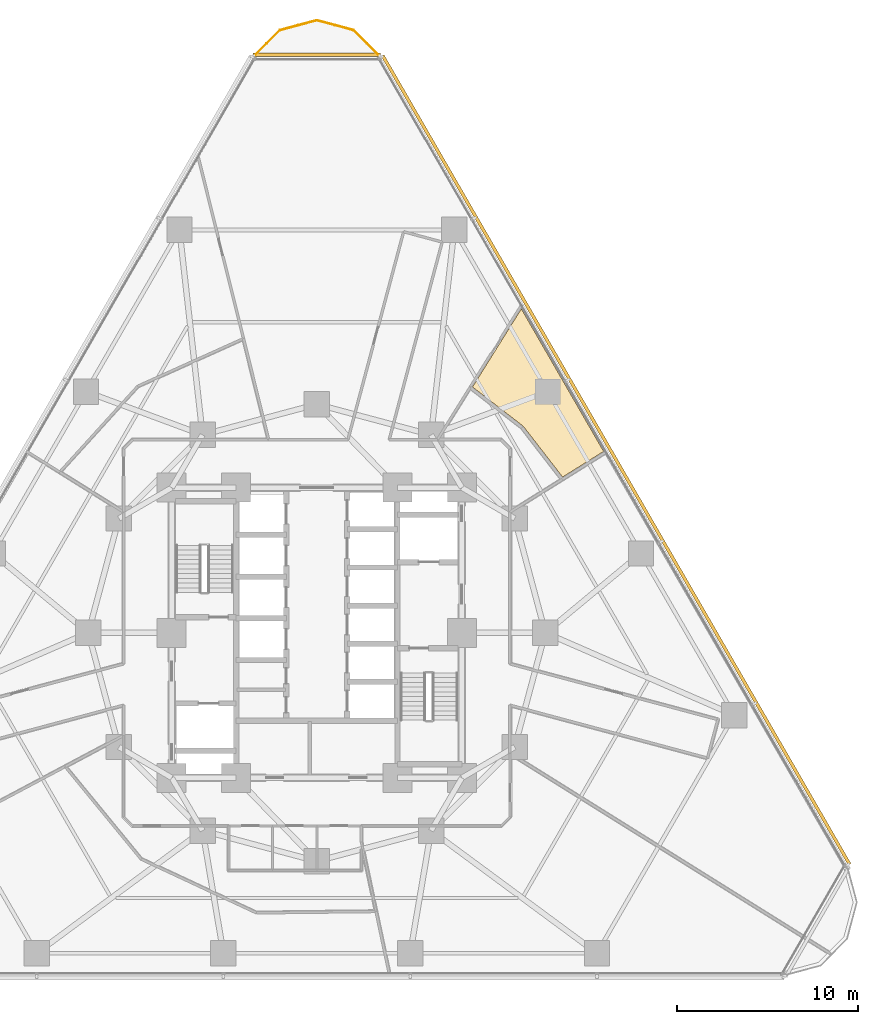
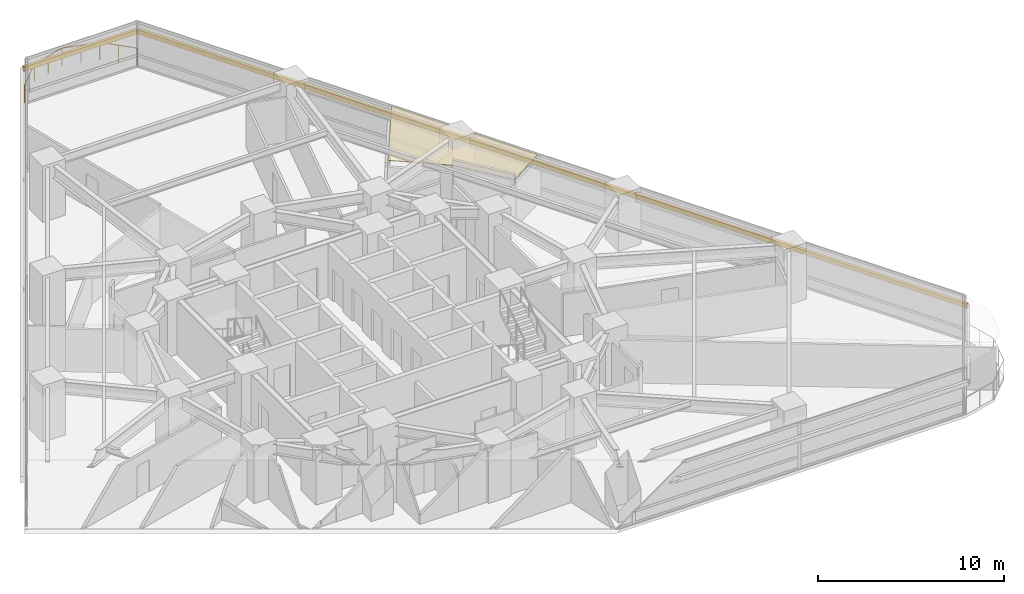
# One storey, part 15 of 15: 2 shading devices, 1 covering, 1 railing.
"""IFC4 building model written with IfcOpenShell, lengths in metres."""

from ifc_helpers import new_model, si_unit, direction, frame, origin, origin_2d, place, context, subcontext, project, spatial, polyline, rectangle, circle, outline, extrude, material, layer, layer_set, type_object, element, save


model = new_model("IFC4")

# Units and contexts
model_context = context("Model", 3, precision=1e-05, world=origin(), true_north=direction((0.0, 1.0)))
body_context = subcontext(model_context, "Body", "Model", "MODEL_VIEW")
ifc_project = project(units=[si_unit("LENGTHUNIT", "METRE"), si_unit("AREAUNIT", "SQUARE_METRE"), si_unit("VOLUMEUNIT", "CUBIC_METRE"), si_unit("PLANEANGLEUNIT", "RADIAN"), si_unit("MASSUNIT", "GRAM", prefix="KILO")], contexts=[model_context])

# Site, building, storey
site_placement = place(None, origin())
site = spatial("IfcSite", under=ifc_project, at=site_placement, CompositionType="ELEMENT")
building_placement = place(site_placement, origin())
building = spatial("IfcBuilding", under=site, at=building_placement, Name="Terralouvre Media Tower", CompositionType="ELEMENT")
storey_placement = place(building_placement, frame((0.0, 0.0, 33.39990234375)))
storey = spatial("IfcBuildingStorey", under=building, at=storey_placement, Name="L07", CompositionType="ELEMENT", Elevation=33.39990234375)

# Covering
ifc_material_1 = material(Name="Perforated aluminium acoustic ceiling baffle", Category="aluminium")
ifc_layer_1 = layer(ifc_material_1, 0.0400390625, Name="Perforated Acoustic Metal Tile Ceiling CL-AC1")
ifc_layer_set_1 = layer_set([ifc_layer_1], Name="Perforated aluminium acoustic ceiling baffle")
covering_type = type_object("IfcCoveringType", Name="Perforated Acoustic Metal Tile Ceiling CL-AC1", PredefinedType="CEILING", material=ifc_layer_set_1)
covering_placement = place(storey_placement, frame((0.0, 0.0, 2.97998046875)))
element("IfcCovering", 1, at=covering_placement, inside=storey, type_object=covering_type, Name="L07 Newsroom Tea Pantry 8 Acoustic Ceiling", PredefinedType="CEILING", context=body_context, shape_type="SweptSolid", body=[
    extrude(outline(polyline([(11.375244140625, 11.39306640625), (11.381591796875, 11.3876953125), (11.3876953125, 11.381591796875), (11.39306640625, 11.375244140625), (13.5517578125, 8.585693359375), (15.815185546875, 10.00048828125), (11.277587890625, 17.85986328125), (8.585693359375, 13.5517578125), (11.375244140625, 11.39306640625)])), origin(), (0.0, 0.0, 1.0), 0.0400390625),
])

# Railing
ifc_material_2 = material(Name="Stainless steel 316 handrail and balustrade", Category="steel")
ifc_layer_2 = layer(ifc_material_2, 0.06005859375, Name="Roof Edge Safety Guardrail GR-ROOF1")
ifc_layer_set_2 = layer_set([ifc_layer_2], Name="Stainless steel 316 handrail and balustrade")
railing_type = type_object("IfcRailingType", Name="Roof Edge Safety Guardrail GR-ROOF1", PredefinedType="GUARDRAIL", material=ifc_layer_set_2)
railing_placement = place(storey_placement, frame((3.505859375, 31.74365234375, 0.0)))
element("IfcRailing", 2, at=railing_placement, inside=storey, type_object=railing_type, Name="L07 Wind-Corner Perimeter Safety Guardrail C2", PredefinedType="GUARDRAIL", context=body_context, shape_type="SweptSolid", body=[
    extrude(circle(Radius=0.02099609375, at=origin_2d()), frame((0.0, 0.0, 1.12890625), z_axis=(-0.706932035913, 0.707281483286, 0.0), x_axis=(-0.707281483286, -0.706932035913, 0.0)), (0.0, 0.0, 1.0), 2.095947265625),
    extrude(circle(Radius=0.02099609375, at=origin_2d()), frame((-1.481689453125, 1.482421875, 1.12890625), z_axis=(-0.965913206711, 0.258866137416, 0.0), x_axis=(-0.258866137416, -0.965913206711, 0.0)), (0.0, 0.0, 1.0), 2.095703125),
    extrude(circle(Radius=0.02099609375, at=origin_2d()), frame((-3.505859375, 2.02490234375, 1.12890625), z_axis=(-0.965913206711, -0.258866137416, 0.0), x_axis=(0.258866137416, -0.965913206711, 0.0)), (0.0, 0.0, 1.0), 2.095703125),
    extrude(circle(Radius=0.02099609375, at=origin_2d()), frame((-5.530029296875, 1.482421875, 1.12890625), z_axis=(-0.706932035913, -0.707281483286, 0.0), x_axis=(0.707281483286, -0.706932035913, 0.0)), (0.0, 0.0, 1.0), 2.095947265625),
    extrude(circle(Radius=0.01904296875, at=origin_2d()), origin(), (0.0, 0.0, 1.0), 1.10791015625),
    extrude(circle(Radius=0.01904296875, at=origin_2d()), frame((-0.74072265625, 0.7412109375, 0.0)), (0.0, 0.0, 1.0), 1.10791015625),
    extrude(circle(Radius=0.01904296875, at=origin_2d()), frame((-1.481689453125, 1.482421875, 0.0)), (0.0, 0.0, 1.0), 1.10791015625),
    extrude(circle(Radius=0.01904296875, at=origin_2d()), frame((-2.49365234375, 1.753662109375, 0.0)), (0.0, 0.0, 1.0), 1.10791015625),
    extrude(circle(Radius=0.01904296875, at=origin_2d()), frame((-3.505859375, 2.02490234375, 0.0)), (0.0, 0.0, 1.0), 1.10791015625),
    extrude(circle(Radius=0.01904296875, at=origin_2d()), frame((-4.51806640625, 1.753662109375, 0.0)), (0.0, 0.0, 1.0), 1.10791015625),
    extrude(circle(Radius=0.01904296875, at=origin_2d()), frame((-5.530029296875, 1.482421875, 0.0)), (0.0, 0.0, 1.0), 1.10791015625),
    extrude(circle(Radius=0.01904296875, at=origin_2d()), frame((-6.27099609375, 0.7412109375, 0.0)), (0.0, 0.0, 1.0), 1.10791015625),
    extrude(circle(Radius=0.01904296875, at=origin_2d()), frame((-7.01171875, 0.0, 0.0)), (0.0, 0.0, 1.0), 1.10791015625),
])

# Shading devices
ifc_material_3 = material(Name="Extruded terracotta baguette sunshade louvres", Category="masonry")
shading_device_type = type_object("IfcShadingDeviceType", Name="Terracotta Baguette Sunshade Louvre Screen TB-LV1", PredefinedType="USERDEFINED", material=ifc_material_3)
shading_device_1_placement = place(storey_placement, frame((16.503662109375, 9.5283203125, 2.02392578125), z_axis=(0.0, 0.0, 1.0), x_axis=(-0.499999985671, 0.866025412057, 0.0)))
element("IfcShadingDevice", 3, at=shading_device_1_placement, inside=storey, type_object=shading_device_type, Name="CW-L07-F1 Terracotta Baguette Sunshade Louvre", ObjectType="BAGUETTE", PredefinedType="USERDEFINED", context=body_context, shape_type="SweptSolid", body=[
    extrude(rectangle(XDim=51.5, YDim=0.179931640625, at=origin_2d()), origin(), (0.0, 0.0, 1.0), 0.280029296875),
])
shading_device_2_placement = place(storey_placement, frame((0.0, 31.87841796875, 2.02392578125), z_axis=(0.0, 0.0, 1.0), x_axis=(-1.0, 0.0, 0.0)))
element("IfcShadingDevice", 4, at=shading_device_2_placement, inside=storey, type_object=shading_device_type, Name="CW-L07-C2 Terracotta Baguette Sunshade Louvre", ObjectType="BAGUETTE", PredefinedType="USERDEFINED", context=body_context, shape_type="SweptSolid", body=[
    extrude(rectangle(XDim=7.014892578125, YDim=0.179931640625, at=origin_2d()), origin(), (0.0, 0.0, 1.0), 0.280029296875),
])

save(model, "model.ifc")
